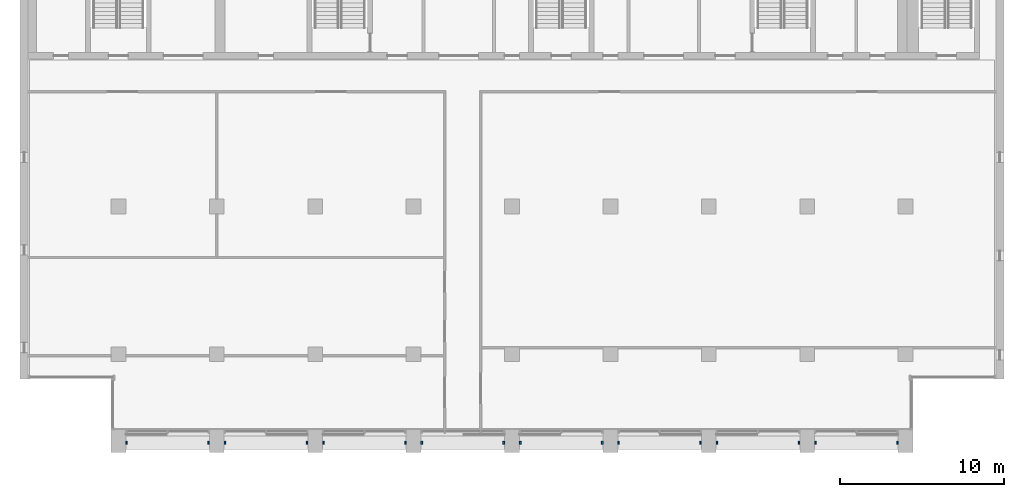
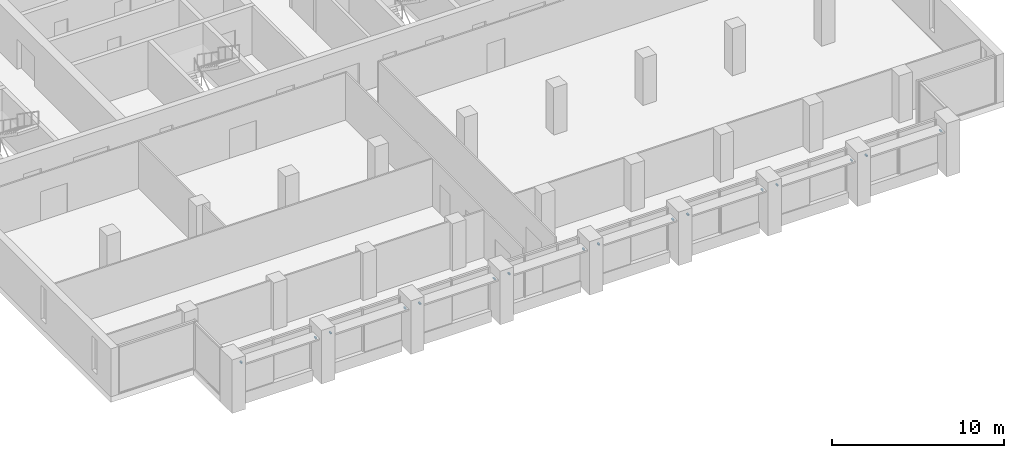
# One storey, part 13 of 14: 16 discrete accessories.
"""IFC4 building model written with IfcOpenShell, lengths in metres."""

from ifc_helpers import new_model, si_unit, direction, frame, origin, origin_2d, place, context, subcontext, project, spatial, rectangle, extrude, element, save


model = new_model("IFC4")

# Units and contexts
model_context = context("Model", 3, precision=1e-05, world=origin(), true_north=direction((0.0, 1.0)))
body_context = subcontext(model_context, "Body", "Model", "MODEL_VIEW")
ifc_project = project(units=[si_unit("LENGTHUNIT", "METRE"), si_unit("AREAUNIT", "SQUARE_METRE"), si_unit("VOLUMEUNIT", "CUBIC_METRE"), si_unit("PLANEANGLEUNIT", "RADIAN"), si_unit("MASSUNIT", "GRAM", prefix="KILO")], contexts=[model_context])

# Site, building, storey
site_placement = place(None, origin())
site = spatial("IfcSite", under=ifc_project, at=site_placement, CompositionType="ELEMENT")
building_placement = place(site_placement, origin())
building = spatial("IfcBuilding", under=site, at=building_placement, Name="Calvaro Tower", CompositionType="ELEMENT")
storey_placement = place(building_placement, frame((0.0, 0.0, 239.35009765625)))
storey = spatial("IfcBuildingStorey", under=building, at=storey_placement, Name="L60", CompositionType="ELEMENT", Elevation=239.35009765625)

# Discrete accessories
for number, where, z_axis, x_axis, name in (
    (1, (12.5, 4.60009765625, 2.499755859375), (0.0, 0.0, 1.0), (1.0, 0.0, 0.0), "Brise-soleil bracket"),
    (2, (17.5, 4.60009765625, 2.499755859375), (0.0, 0.0, 1.0), (1.0, 0.0, 0.0), "Brise-soleil bracket"),
    (3, (18.5, 4.60009765625, 2.499755859375), (0.0, 0.0, 1.0), (1.0, 0.0, 0.0), "Brise-soleil bracket"),
    (4, (23.5, 4.60009765625, 2.499755859375), (0.0, 0.0, 1.0), (1.0, 0.0, 0.0), "Brise-soleil bracket"),
    (5, (24.5, 4.60009765625, 2.499755859375), (0.0, 0.0, 1.0), (1.0, 0.0, 0.0), "Brise-soleil bracket"),
    (6, (29.5, 4.60009765625, 2.499755859375), (0.0, 0.0, 1.0), (1.0, 0.0, 0.0), "Brise-soleil bracket"),
    (7, (30.5, 4.60009765625, 2.499755859375), (0.0, 0.0, 1.0), (1.0, 0.0, 0.0), "Brise-soleil bracket"),
    (8, (35.5, 4.60009765625, 2.499755859375), (0.0, 0.0, 1.0), (1.0, 0.0, 0.0), "Brise-soleil bracket"),
    (9, (36.5, 4.60009765625, 2.499755859375), (0.0, 0.0, 1.0), (1.0, 0.0, 0.0), "Brise-soleil bracket"),
    (10, (41.5, 4.60009765625, 2.499755859375), (0.0, 0.0, 1.0), (1.0, 0.0, 0.0), "Brise-soleil bracket"),
    (11, (42.5, 4.60009765625, 2.499755859375), (0.0, 0.0, 1.0), (1.0, 0.0, 0.0), "Brise-soleil bracket"),
    (12, (47.5, 4.60009765625, 2.499755859375), (0.0, 0.0, 1.0), (1.0, 0.0, 0.0), "Brise-soleil bracket"),
    (13, (48.5, 4.60009765625, 2.499755859375), (0.0, 0.0, 1.0), (1.0, 0.0, 0.0), "Brise-soleil bracket"),
    (14, (53.5, 4.60009765625, 2.499755859375), (0.0, 0.0, 1.0), (1.0, 0.0, 0.0), "Brise-soleil bracket"),
    (15, (54.5, 4.60009765625, 2.499755859375), (0.0, 0.0, 1.0), (1.0, 0.0, 0.0), "Brise-soleil bracket"),
    (16, (59.5, 4.60009765625, 2.499755859375), (0.0, 0.0, 1.0), (1.0, 0.0, 0.0), "Brise-soleil bracket"),
):
    element("IfcDiscreteAccessory", number, at=place(storey_placement, frame(where, z_axis=z_axis, x_axis=x_axis)), inside=storey, Name=name, PredefinedType="BRACKET", context=body_context, shape_type="SweptSolid", body=[
        extrude(rectangle(XDim=0.10009765625, YDim=0.199951171875, at=origin_2d()), origin(), (0.0, 0.0, 1.0), 0.10009765625),
    ])

save(model, "model.ifc")
